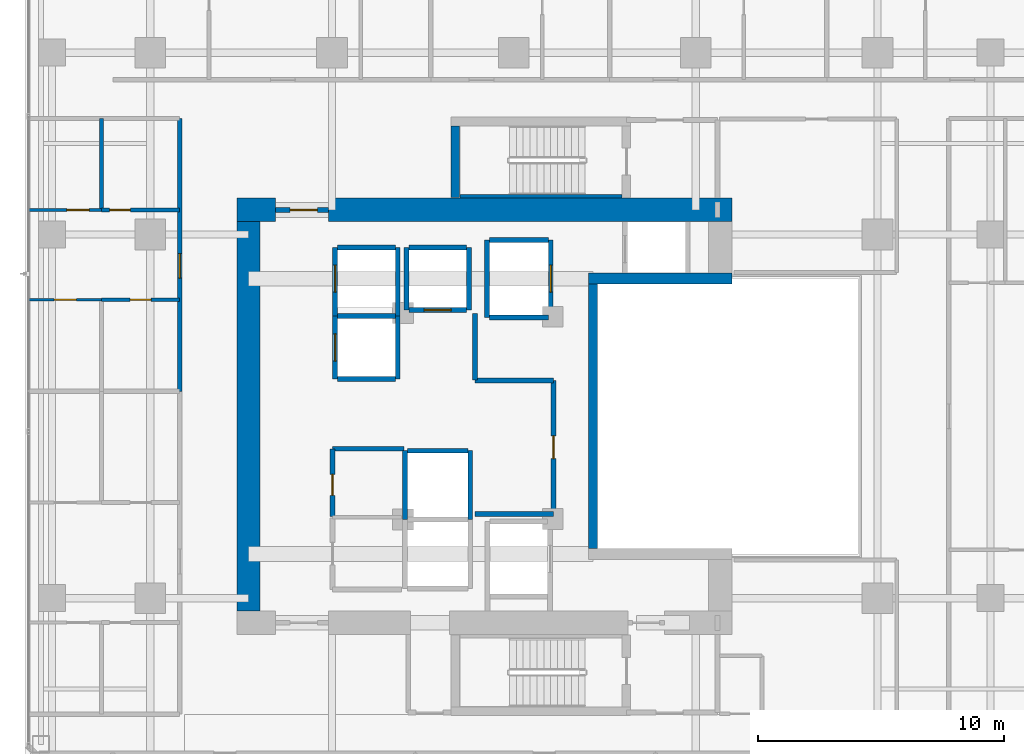
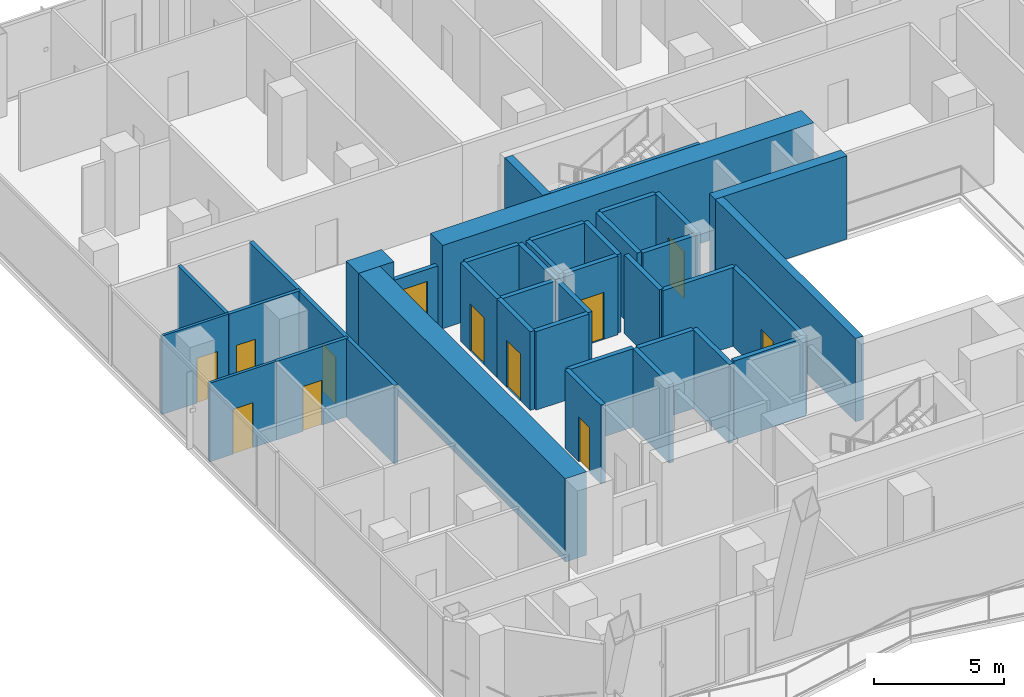
# One storey, part 20 of 30: 38 walls, 12 doors, 12 openings.
"""IFC4 building model written with IfcOpenShell, lengths in metres."""

from ifc_helpers import new_model, si_unit, direction, frame, frame_2d, origin, place, context, subcontext, project, spatial, rectangle, extrude, material, layer, layer_set, type_object, element, fill, save


model = new_model("IFC4")

# Units and contexts
model_context = context("Model", 3, precision=1e-05, world=origin(), true_north=direction((0.0, 1.0)))
body_context = subcontext(model_context, "Body", "Model", "MODEL_VIEW")
ifc_project = project(units=[si_unit("LENGTHUNIT", "METRE"), si_unit("AREAUNIT", "SQUARE_METRE"), si_unit("VOLUMEUNIT", "CUBIC_METRE"), si_unit("PLANEANGLEUNIT", "RADIAN"), si_unit("MASSUNIT", "GRAM", prefix="KILO")], contexts=[model_context])

# Site, building, storey
site_placement = place(None, origin())
site = spatial("IfcSite", under=ifc_project, at=site_placement, CompositionType="ELEMENT")
building_placement = place(site_placement, origin())
building = spatial("IfcBuilding", under=site, at=building_placement, Name="Khorvyn Point Tower", CompositionType="ELEMENT")
storey_placement = place(building_placement, frame((0.0, 0.0, 117.300048828125)))
storey = spatial("IfcBuildingStorey", under=building, at=storey_placement, Name="L29", CompositionType="ELEMENT", Elevation=117.300048828125)

# Wall, opening, door
ifc_material_1 = material(Name="Double acoustic gypsum on twin steel stud", Category="steel")
ifc_layer_1 = layer(ifc_material_1, 0.179931640625)
ifc_layer_set_1 = layer_set([ifc_layer_1], Name="Acoustic Double-Stud Apartment Demising Wall 180")
wall_type_1 = type_object("IfcWallType", Name="Acoustic Double-Stud Apartment Demising Wall 180", PredefinedType="PARTITIONING", material=ifc_layer_set_1)
wall_1_placement = place(storey_placement, frame((-13.60009765625, 1.01806640625, 0.0), z_axis=(0.0, 0.0, 1.0), x_axis=(0.0, 1.0, 0.0)))
wall_1 = element("IfcWall", 1, at=wall_1_placement, inside=storey, type_object=wall_type_1, Name="Wall", PredefinedType="PARTITIONING", context=body_context, shape_type="SweptSolid", body=[
    extrude(rectangle(XDim=11.10205078125, YDim=0.179931640625, at=frame_2d((5.551025390625, 0.0))), origin(), (0.0, 0.0, 1.0), 3.679931640625),
])
opening_1_placement = place(wall_1_placement, frame((4.6064453125, 0.0, 0.0)))
opening_1 = element("IfcOpeningElement", 2, at=opening_1_placement, cuts=wall_1, Name="Opening ID-AP60", PredefinedType="OPENING", context=body_context, shape_type="SweptSolid", body=[
    extrude(rectangle(XDim=1.0, YDim=2.199951171875, at=frame_2d((0.5, 1.10009765625))), frame((0.0, 0.099853515625, 0.0), z_axis=(0.0, -1.0, 0.0), x_axis=(1.0, 0.0, 0.0)), (0.0, 0.0, 1.0), 0.199951171875),
])
ifc_material_2 = material(Name="Engineered hardwood fire-rated leaf", Category="wood")
door_type_1 = type_object("IfcDoorType", Name="Acoustic Solid-Core Timber Apartment Entrance Door 1000x2200", OperationType="NOTDEFINED", PredefinedType="DOOR", material=ifc_material_2)
door_1_placement = place(opening_1_placement, origin())
door_1 = element("IfcDoor", 3, at=door_1_placement, inside=storey, type_object=door_type_1, Name="Door", OperationType="SINGLE_SWING_RIGHT", OverallHeight=2.199951171875, OverallWidth=1.0, PredefinedType="DOOR", context=body_context, shape_type="SweptSolid", body=[
    extrude(rectangle(XDim=1.0, YDim=2.199951171875, at=frame_2d((0.5, 1.10009765625))), frame((0.0, 0.02490234375, 0.0), z_axis=(0.0, -1.0, 0.0), x_axis=(1.0, 0.0, 0.0)), (0.0, 0.0, 1.0), 0.050048828125),
])
fill(opening_1, door_1)

# Wall
ifc_material_3 = material(Name="Concrete C40/50", Category="concrete")
ifc_layer_2 = layer(ifc_material_3, 0.449951171875)
ifc_layer_set_2 = layer_set([ifc_layer_2], Name="Concrete C40/50 Core Shear Wall 450")
wall_type_2 = type_object("IfcWallType", Name="Concrete C40/50 Core Shear Wall 450", PredefinedType="SHEAR", material=ifc_layer_set_2)
wall_2_placement = place(storey_placement, frame((3.044921875, 5.60009765625, 0.0), z_axis=(0.0, 0.0, 1.0), x_axis=(1.0, 0.0, 0.0)))
element("IfcWall", 4, at=wall_2_placement, inside=storey, type_object=wall_type_2, Name="Wall", PredefinedType="SHEAR", context=body_context, shape_type="SweptSolid", body=[
    extrude(rectangle(XDim=5.830078125, YDim=0.449951171875, at=frame_2d((2.9150390625, 0.0))), origin(), (0.0, 0.0, 1.0), 3.89990234375),
])

# Wall, opening, door
ifc_layer_3 = layer(ifc_material_3, 0.199951171875)
ifc_layer_set_3 = layer_set([ifc_layer_3], Name="Concrete C40/50 Fire-Lobby Compartment Wall 200")
wall_type_3 = type_object("IfcWallType", Name="Concrete C40/50 Fire-Lobby Compartment Wall 200", PredefinedType="SOLIDWALL", material=ifc_layer_set_3)
wall_3_placement = place(storey_placement, frame((-9.699951171875, 8.39990234375, 0.0), z_axis=(0.0, 0.0, 1.0), x_axis=(1.0, 0.0, 0.0)))
wall_3 = element("IfcWall", 5, at=wall_3_placement, inside=storey, type_object=wall_type_3, Name="Wall", PredefinedType="SOLIDWALL", context=body_context, shape_type="SweptSolid", body=[
    extrude(rectangle(XDim=2.14990234375, YDim=0.199951171875, at=frame_2d((1.074951171875, 0.0))), origin(), (0.0, 0.0, 1.0), 2.719970703125),
])
opening_2_placement = place(wall_3_placement, frame((0.597900390625, 0.0, 0.0)))
opening_2 = element("IfcOpeningElement", 6, at=opening_2_placement, cuts=wall_3, Name="Opening ID-FL90", PredefinedType="OPENING", context=body_context, shape_type="SweptSolid", body=[
    extrude(rectangle(XDim=1.10009765625, YDim=2.14990234375, at=frame_2d((0.550048828125, 1.074951171875))), frame((0.0, 0.10986328125, 0.0), z_axis=(0.0, -1.0, 0.0), x_axis=(1.0, 0.0, 0.0)), (0.0, 0.0, 1.0), 0.219970703125),
])
ifc_material_4 = material(Name="Galvanised powder-coated steel", Category="steel")
door_type_2 = type_object("IfcDoorType", Name="Fire-Rated Steel Lobby and Stair Door 1100x2150", OperationType="NOTDEFINED", PredefinedType="DOOR", material=ifc_material_4)
door_2_placement = place(opening_2_placement, origin())
door_2 = element("IfcDoor", 7, at=door_2_placement, inside=storey, type_object=door_type_2, Name="Door", OperationType="SINGLE_SWING_LEFT", OverallHeight=2.14990234375, OverallWidth=1.10009765625, PredefinedType="DOOR", context=body_context, shape_type="SweptSolid", body=[
    extrude(rectangle(XDim=1.10009765625, YDim=2.14990234375, at=frame_2d((0.550048828125, 1.074951171875))), frame((0.0, 0.02490234375, 0.0), z_axis=(0.0, -1.0, 0.0), x_axis=(1.0, 0.0, 0.0)), (0.0, 0.0, 1.0), 0.050048828125),
])
fill(opening_2, door_2)

wall_4_placement = place(storey_placement, frame((1.610107421875, -3.97998046875, 0.0), z_axis=(0.0, 0.0, 1.0), x_axis=(0.0, 1.0, 0.0)))
wall_4 = element("IfcWall", 8, at=wall_4_placement, inside=storey, type_object=wall_type_3, Name="Wall", PredefinedType="SOLIDWALL", context=body_context, shape_type="SweptSolid", body=[
    extrude(rectangle(XDim=5.43994140625, YDim=0.199951171875, at=frame_2d((2.719970703125, 0.0))), origin(), (0.0, 0.0, 1.0), 3.679931640625),
])
opening_3_placement = place(wall_4_placement, frame((2.260009765625, 0.0, 0.0)))
opening_3 = element("IfcOpeningElement", 9, at=opening_3_placement, cuts=wall_4, Name="Opening ID-RS60", PredefinedType="OPENING", context=body_context, shape_type="SweptSolid", body=[
    extrude(rectangle(XDim=0.919921875, YDim=2.10009765625, at=frame_2d((0.4599609375, 1.050048828125))), frame((0.0, 0.10986328125, 0.0), z_axis=(0.0, -1.0, 0.0), x_axis=(1.0, 0.0, 0.0)), (0.0, 0.0, 1.0), 0.219970703125),
])
door_type_3 = type_object("IfcDoorType", Name="Fire-Rated Riser and Store Steel Door 920x2100", OperationType="NOTDEFINED", PredefinedType="DOOR", material=ifc_material_4)
door_3_placement = place(opening_3_placement, origin())
door_3 = element("IfcDoor", 10, at=door_3_placement, inside=storey, type_object=door_type_3, Name="Door", OperationType="SINGLE_SWING_LEFT", OverallHeight=2.10009765625, OverallWidth=0.919921875, PredefinedType="DOOR", context=body_context, shape_type="SweptSolid", body=[
    extrude(rectangle(XDim=0.919921875, YDim=2.10009765625, at=frame_2d((0.4599609375, 1.050048828125))), frame((0.0, 0.02490234375, 0.0), z_axis=(0.0, -1.0, 0.0), x_axis=(1.0, 0.0, 0.0)), (0.0, 0.0, 1.0), 0.050048828125),
])
fill(opening_3, door_3)

wall_5_placement = place(storey_placement, frame((-7.3798828125, -4.080078125, 0.0), z_axis=(0.0, 0.0, 1.0), x_axis=(0.0, 1.0, 0.0)))
wall_5 = element("IfcWall", 11, at=wall_5_placement, inside=storey, type_object=wall_type_3, Name="Wall", PredefinedType="SOLIDWALL", context=body_context, shape_type="SweptSolid", body=[
    extrude(rectangle(XDim=2.760009765625, YDim=0.199951171875, at=frame_2d((1.3798828125, 0.0))), origin(), (0.0, 0.0, 1.0), 3.679931640625),
])
opening_4_placement = place(wall_5_placement, frame((0.86669921875, 0.0, 0.0)))
opening_4 = element("IfcOpeningElement", 12, at=opening_4_placement, cuts=wall_5, Name="Opening ID-WC85", PredefinedType="OPENING", context=body_context, shape_type="SweptSolid", body=[
    extrude(rectangle(XDim=0.85009765625, YDim=2.10009765625, at=frame_2d((0.425048828125, 1.050048828125))), frame((0.0, 0.10986328125, 0.0), z_axis=(0.0, -1.0, 0.0), x_axis=(1.0, 0.0, 0.0)), (0.0, 0.0, 1.0), 0.219970703125),
])
ifc_material_5 = material(Name="High-pressure laminate on moisture-resistant core", Category="wood")
door_type_4 = type_object("IfcDoorType", Name="Moisture-Resistant Accessible Washroom Door 850x2100", OperationType="NOTDEFINED", PredefinedType="DOOR", material=ifc_material_5)
door_4_placement = place(opening_4_placement, origin())
door_4 = element("IfcDoor", 13, at=door_4_placement, inside=storey, type_object=door_type_4, Name="Door", OperationType="SINGLE_SWING_LEFT", OverallHeight=2.10009765625, OverallWidth=0.85009765625, PredefinedType="DOOR", context=body_context, shape_type="SweptSolid", body=[
    extrude(rectangle(XDim=0.85009765625, YDim=2.10009765625, at=frame_2d((0.425048828125, 1.050048828125))), frame((0.0, 0.02490234375, 0.0), z_axis=(0.0, -1.0, 0.0), x_axis=(1.0, 0.0, 0.0)), (0.0, 0.0, 1.0), 0.050048828125),
])
fill(opening_4, door_4)

# Walls
wall_6_placement = place(storey_placement, frame((-7.3798828125, -1.320068359375, 0.0), z_axis=(0.0, 0.0, 1.0), x_axis=(1.0, 0.0, 0.0)))
element("IfcWall", 14, at=wall_6_placement, inside=storey, type_object=wall_type_3, Name="Wall", PredefinedType="SOLIDWALL", context=body_context, shape_type="SweptSolid", body=[
    extrude(rectangle(XDim=2.909912109375, YDim=0.199951171875, at=frame_2d((1.455078125, 0.0))), origin(), (0.0, 0.0, 1.0), 3.679931640625),
])
wall_7_placement = place(storey_placement, frame((-1.580078125, 1.47998046875, 0.0), z_axis=(0.0, 0.0, 1.0), x_axis=(0.0, 1.0, 0.0)))
element("IfcWall", 15, at=wall_7_placement, inside=storey, type_object=wall_type_3, Name="Wall", PredefinedType="SOLIDWALL", context=body_context, shape_type="SweptSolid", body=[
    extrude(rectangle(XDim=2.699951171875, YDim=0.199951171875, at=frame_2d((1.35009765625, 0.0))), origin(), (0.0, 0.0, 1.0), 3.679931640625),
])
for number, where, z_axis, x_axis, name in (
    (16, (-1.580078125, -3.97998046875, 0.0), (0.0, 0.0, 1.0), (1.0, 0.0, 0.0), "Wall"),
    (17, (-1.580078125, 1.4599609375, 0.0), (0.0, 0.0, 1.0), (1.0, 0.0, 0.0), "Wall"),
):
    element("IfcWall", number, at=place(storey_placement, frame(where, z_axis=z_axis, x_axis=x_axis)), inside=storey, type_object=wall_type_3, Name=name, PredefinedType="SOLIDWALL", context=body_context, shape_type="SweptSolid", body=[
        extrude(rectangle(XDim=3.190185546875, YDim=0.199951171875, at=frame_2d((1.59521484375, 0.0))), origin(), (0.0, 0.0, 1.0), 3.679931640625),
    ])
ifc_layer_4 = layer(ifc_material_3, 0.25)
ifc_layer_set_4 = layer_set([ifc_layer_4], Name="Concrete C40/50 Stair Inner Cheek Structural Wall 250")
wall_type_4 = type_object("IfcWallType", Name="Concrete C40/50 Stair Inner Cheek Structural Wall 250", PredefinedType="SHEAR", material=ifc_layer_set_4)
wall_8_placement = place(storey_placement, frame((-2.199951171875, 8.949951171875, 0.0), z_axis=(0.0, 0.0, 1.0), x_axis=(1.0, 0.0, 0.0)))
element("IfcWall", 18, at=wall_8_placement, inside=storey, type_object=wall_type_4, Name="Wall", PredefinedType="SHEAR", context=body_context, shape_type="SweptSolid", body=[
    extrude(rectangle(XDim=6.599853515625, YDim=0.14990234375, at=frame_2d((3.2998046875, 0.0))), origin(), (0.0, 0.0, 1.0), 3.89990234375),
])
ifc_layer_5 = layer(ifc_material_3, 0.35009765625)
ifc_layer_set_5 = layer_set([ifc_layer_5], Name="Concrete C40/50 Stair Shaft Structural Wall 350")
wall_type_5 = type_object("IfcWallType", Name="Concrete C40/50 Stair Shaft Structural Wall 350", PredefinedType="SHEAR", material=ifc_layer_set_5)
wall_9_placement = place(storey_placement, frame((3.219970703125, -5.375, 0.0), z_axis=(0.0, 0.0, 1.0), x_axis=(0.0, 1.0, 0.0)))
element("IfcWall", 19, at=wall_9_placement, inside=storey, type_object=wall_type_5, Name="Wall", PredefinedType="SHEAR", context=body_context, shape_type="SweptSolid", body=[
    extrude(rectangle(XDim=10.75, YDim=0.35009765625, at=frame_2d((5.375, 0.0))), origin(), (0.0, 0.0, 1.0), 3.89990234375),
])
wall_10_placement = place(storey_placement, frame((-2.3798828125, 8.89990234375, 0.0), z_axis=(0.0, 0.0, 1.0), x_axis=(0.0, 1.0, 0.0)))
element("IfcWall", 20, at=wall_10_placement, inside=storey, type_object=wall_type_5, Name="L29 ST-02 West Shaft Wall", PredefinedType="SHEAR", context=body_context, shape_type="SweptSolid", body=[
    extrude(rectangle(XDim=2.925048828125, YDim=0.35009765625, at=frame_2d((1.46240234375, 0.0))), origin(), (0.0, 0.0, 1.0), 3.89990234375),
])

# Wall, opening, door
ifc_layer_6 = layer(ifc_material_3, 0.199951171875)
ifc_layer_set_6 = layer_set([ifc_layer_6], Name="Concrete C40/50 Structural Hoistway and Stair Shaft Wall 200")
wall_type_6 = type_object("IfcWallType", Name="Concrete C40/50 Structural Hoistway and Stair Shaft Wall 200", PredefinedType="SHEAR", material=ifc_layer_set_6)
wall_11_placement = place(storey_placement, frame((-7.27490234375, 1.52490234375, 0.0), z_axis=(0.0, 0.0, 1.0), x_axis=(0.0, 1.0, 0.0)))
wall_11 = element("IfcWall", 21, at=wall_11_placement, inside=storey, type_object=wall_type_6, Name="Wall", PredefinedType="SHEAR", context=body_context, shape_type="SweptSolid", body=[
    extrude(rectangle(XDim=2.550048828125, YDim=0.199951171875, at=frame_2d((1.27490234375, 0.0))), origin(), (0.0, 0.0, 1.0), 3.679931640625),
])
opening_5_placement = place(wall_11_placement, frame((0.72509765625, 0.0, 0.0)))
opening_5 = element("IfcOpeningElement", 22, at=opening_5_placement, cuts=wall_11, Name="Opening LD-1122", PredefinedType="OPENING", context=body_context, shape_type="SweptSolid", body=[
    extrude(rectangle(XDim=1.10009765625, YDim=2.199951171875, at=frame_2d((0.550048828125, 1.10009765625))), frame((0.0, 0.10986328125, 0.0), z_axis=(0.0, -1.0, 0.0), x_axis=(1.0, 0.0, 0.0)), (0.0, 0.0, 1.0), 0.219970703125),
])
ifc_material_6 = material(Name="Stainless steel 1.4301", Category="steel")
door_type_5 = type_object("IfcDoorType", Name="Stainless Steel Automatic Sliding Lift Landing Door 1100x2200", OperationType="SLIDING_TO_LEFT", PredefinedType="DOOR", material=ifc_material_6)
door_5_placement = place(opening_5_placement, origin())
door_5 = element("IfcDoor", 23, at=door_5_placement, inside=storey, type_object=door_type_5, Name="L29 RM-01 Sliding Lift Landing Door", OperationType="SLIDING_TO_LEFT", OverallHeight=2.199951171875, OverallWidth=1.10009765625, PredefinedType="DOOR", context=body_context, shape_type="SweptSolid", body=[
    extrude(rectangle(XDim=1.10009765625, YDim=2.199951171875, at=frame_2d((0.550048828125, 1.10009765625))), frame((0.0, 0.02490234375, 0.0), z_axis=(0.0, -1.0, 0.0), x_axis=(1.0, 0.0, 0.0)), (0.0, 0.0, 1.0), 0.050048828125),
])
fill(opening_5, door_5)

# Walls
wall_12_placement = place(storey_placement, frame((-4.72509765625, 1.52490234375, 0.0), z_axis=(0.0, 0.0, 1.0), x_axis=(0.0, 1.0, 0.0)))
element("IfcWall", 24, at=wall_12_placement, inside=storey, type_object=wall_type_6, Name="Wall", PredefinedType="SHEAR", context=body_context, shape_type="SweptSolid", body=[
    extrude(rectangle(XDim=2.550048828125, YDim=0.199951171875, at=frame_2d((1.27490234375, 0.0))), origin(), (0.0, 0.0, 1.0), 3.679931640625),
])
for number, where, z_axis, x_axis, name in (
    (25, (-7.175048828125, 1.52490234375, 0.0), (0.0, 0.0, 1.0), (1.0, 0.0, 0.0), "Wall"),
    (26, (-7.175048828125, 4.074951171875, 0.0), (0.0, 0.0, 1.0), (1.0, 0.0, 0.0), "Wall"),
):
    element("IfcWall", number, at=place(storey_placement, frame(where, z_axis=z_axis, x_axis=x_axis)), inside=storey, type_object=wall_type_6, Name=name, PredefinedType="SHEAR", context=body_context, shape_type="SweptSolid", body=[
        extrude(rectangle(XDim=2.35009765625, YDim=0.199951171875, at=frame_2d((1.175048828125, 0.0))), origin(), (0.0, 0.0, 1.0), 3.679931640625),
    ])

# Wall, opening, door
wall_13_placement = place(storey_placement, frame((-7.27490234375, 4.074951171875, 0.0), z_axis=(0.0, 0.0, 1.0), x_axis=(0.0, 1.0, 0.0)))
wall_13 = element("IfcWall", 27, at=wall_13_placement, inside=storey, type_object=wall_type_6, Name="Wall", PredefinedType="SHEAR", context=body_context, shape_type="SweptSolid", body=[
    extrude(rectangle(XDim=2.800048828125, YDim=0.199951171875, at=frame_2d((1.39990234375, 0.0))), origin(), (0.0, 0.0, 1.0), 3.679931640625),
])
opening_6_placement = place(wall_13_placement, frame((0.97509765625, 0.0, 0.0)))
opening_6 = element("IfcOpeningElement", 28, at=opening_6_placement, cuts=wall_13, Name="Opening LD-1122", PredefinedType="OPENING", context=body_context, shape_type="SweptSolid", body=[
    extrude(rectangle(XDim=1.10009765625, YDim=2.199951171875, at=frame_2d((0.550048828125, 1.10009765625))), frame((0.0, 0.10986328125, 0.0), z_axis=(0.0, -1.0, 0.0), x_axis=(1.0, 0.0, 0.0)), (0.0, 0.0, 1.0), 0.219970703125),
])
door_6_placement = place(opening_6_placement, origin())
door_6 = element("IfcDoor", 29, at=door_6_placement, inside=storey, type_object=door_type_5, Name="L29 RM-02 Sliding Lift Landing Door", OperationType="SLIDING_TO_LEFT", OverallHeight=2.199951171875, OverallWidth=1.10009765625, PredefinedType="DOOR", context=body_context, shape_type="SweptSolid", body=[
    extrude(rectangle(XDim=1.10009765625, YDim=2.199951171875, at=frame_2d((0.550048828125, 1.10009765625))), frame((0.0, 0.02490234375, 0.0), z_axis=(0.0, -1.0, 0.0), x_axis=(1.0, 0.0, 0.0)), (0.0, 0.0, 1.0), 0.050048828125),
])
fill(opening_6, door_6)

# Walls
wall_14_placement = place(storey_placement, frame((-4.72509765625, 4.074951171875, 0.0), z_axis=(0.0, 0.0, 1.0), x_axis=(0.0, 1.0, 0.0)))
element("IfcWall", 30, at=wall_14_placement, inside=storey, type_object=wall_type_6, Name="Wall", PredefinedType="SHEAR", context=body_context, shape_type="SweptSolid", body=[
    extrude(rectangle(XDim=2.800048828125, YDim=0.199951171875, at=frame_2d((1.39990234375, 0.0))), origin(), (0.0, 0.0, 1.0), 3.679931640625),
])
wall_15_placement = place(storey_placement, frame((-7.175048828125, 6.875, 0.0), z_axis=(0.0, 0.0, 1.0), x_axis=(1.0, 0.0, 0.0)))
element("IfcWall", 31, at=wall_15_placement, inside=storey, type_object=wall_type_6, Name="Wall", PredefinedType="SHEAR", context=body_context, shape_type="SweptSolid", body=[
    extrude(rectangle(XDim=2.35009765625, YDim=0.199951171875, at=frame_2d((1.175048828125, 0.0))), origin(), (0.0, 0.0, 1.0), 3.679931640625),
])
for number, where, z_axis, x_axis, name in (
    (32, (-4.375, 4.324951171875, 0.0), (0.0, 0.0, 1.0), (0.0, 1.0, 0.0), "Wall"),
    (33, (-1.824951171875, 4.324951171875, 0.0), (0.0, 0.0, 1.0), (0.0, 1.0, 0.0), "Wall"),
):
    element("IfcWall", number, at=place(storey_placement, frame(where, z_axis=z_axis, x_axis=x_axis)), inside=storey, type_object=wall_type_6, Name=name, PredefinedType="SHEAR", context=body_context, shape_type="SweptSolid", body=[
        extrude(rectangle(XDim=2.550048828125, YDim=0.199951171875, at=frame_2d((1.27490234375, 0.0))), origin(), (0.0, 0.0, 1.0), 3.679931640625),
    ])

# Wall, opening, door
wall_16_placement = place(storey_placement, frame((-4.27490234375, 4.324951171875, 0.0), z_axis=(0.0, 0.0, 1.0), x_axis=(1.0, 0.0, 0.0)))
wall_16 = element("IfcWall", 34, at=wall_16_placement, inside=storey, type_object=wall_type_6, Name="Wall", PredefinedType="SHEAR", context=body_context, shape_type="SweptSolid", body=[
    extrude(rectangle(XDim=2.349853515625, YDim=0.199951171875, at=frame_2d((1.1748046875, 0.0))), origin(), (0.0, 0.0, 1.0), 3.679931640625),
])
opening_7_placement = place(wall_16_placement, frame((0.625, 0.0, 0.0)))
opening_7 = element("IfcOpeningElement", 35, at=opening_7_placement, cuts=wall_16, Name="Opening LD-1122", PredefinedType="OPENING", context=body_context, shape_type="SweptSolid", body=[
    extrude(rectangle(XDim=1.10009765625, YDim=2.199951171875, at=frame_2d((0.550048828125, 1.10009765625))), frame((0.0, 0.10986328125, 0.0), z_axis=(0.0, -1.0, 0.0), x_axis=(1.0, 0.0, 0.0)), (0.0, 0.0, 1.0), 0.219970703125),
])
door_7_placement = place(opening_7_placement, origin())
door_7 = element("IfcDoor", 36, at=door_7_placement, inside=storey, type_object=door_type_5, Name="L29 RM-03 Sliding Lift Landing Door", OperationType="SLIDING_TO_LEFT", OverallHeight=2.199951171875, OverallWidth=1.10009765625, PredefinedType="DOOR", context=body_context, shape_type="SweptSolid", body=[
    extrude(rectangle(XDim=1.10009765625, YDim=2.199951171875, at=frame_2d((0.550048828125, 1.10009765625))), frame((0.0, 0.02490234375, 0.0), z_axis=(0.0, -1.0, 0.0), x_axis=(1.0, 0.0, 0.0)), (0.0, 0.0, 1.0), 0.050048828125),
])
fill(opening_7, door_7)

# Walls
wall_17_placement = place(storey_placement, frame((-4.27490234375, 6.875, 0.0), z_axis=(0.0, 0.0, 1.0), x_axis=(1.0, 0.0, 0.0)))
element("IfcWall", 37, at=wall_17_placement, inside=storey, type_object=wall_type_6, Name="Wall", PredefinedType="SHEAR", context=body_context, shape_type="SweptSolid", body=[
    extrude(rectangle(XDim=2.349853515625, YDim=0.199951171875, at=frame_2d((1.1748046875, 0.0))), origin(), (0.0, 0.0, 1.0), 3.679931640625),
])
for number, where, z_axis, x_axis, name in (
    (38, (-4.425048828125, -4.199951171875, 0.0), (0.0, 0.0, 1.0), (0.0, 1.0, 0.0), "Wall"),
    (39, (-1.77490234375, -4.199951171875, 0.0), (0.0, 0.0, 1.0), (0.0, 1.0, 0.0), "Wall"),
):
    element("IfcWall", number, at=place(storey_placement, frame(where, z_axis=z_axis, x_axis=x_axis)), inside=storey, type_object=wall_type_6, Name=name, PredefinedType="SHEAR", context=body_context, shape_type="SweptSolid", body=[
        extrude(rectangle(XDim=2.800048828125, YDim=0.199951171875, at=frame_2d((1.39990234375, 0.0))), origin(), (0.0, 0.0, 1.0), 3.679931640625),
    ])
wall_18_placement = place(storey_placement, frame((-4.324951171875, -1.39990234375, 0.0), z_axis=(0.0, 0.0, 1.0), x_axis=(1.0, 0.0, 0.0)))
element("IfcWall", 40, at=wall_18_placement, inside=storey, type_object=wall_type_6, Name="Wall", PredefinedType="SHEAR", context=body_context, shape_type="SweptSolid", body=[
    extrude(rectangle(XDim=2.449951171875, YDim=0.199951171875, at=frame_2d((1.22509765625, 0.0))), origin(), (0.0, 0.0, 1.0), 3.679931640625),
])
wall_19_placement = place(storey_placement, frame((-1.10009765625, 4.02490234375, 0.0), z_axis=(0.0, 0.0, 1.0), x_axis=(0.0, 1.0, 0.0)))
element("IfcWall", 41, at=wall_19_placement, inside=storey, type_object=wall_type_6, Name="Wall", PredefinedType="SHEAR", context=body_context, shape_type="SweptSolid", body=[
    extrude(rectangle(XDim=3.150146484375, YDim=0.199951171875, at=frame_2d((1.5751953125, 0.0))), origin(), (0.0, 0.0, 1.0), 3.679931640625),
])

# Wall, opening, door
wall_20_placement = place(storey_placement, frame((1.5, 4.02490234375, 0.0), z_axis=(0.0, 0.0, 1.0), x_axis=(0.0, 1.0, 0.0)))
wall_20 = element("IfcWall", 42, at=wall_20_placement, inside=storey, type_object=wall_type_6, Name="Wall", PredefinedType="SHEAR", context=body_context, shape_type="SweptSolid", body=[
    extrude(rectangle(XDim=3.150146484375, YDim=0.199951171875, at=frame_2d((1.5751953125, 0.0))), origin(), (0.0, 0.0, 1.0), 3.679931640625),
])
opening_8_placement = place(wall_20_placement, frame((1.02490234375, 0.0, 0.0)))
opening_8 = element("IfcOpeningElement", 43, at=opening_8_placement, cuts=wall_20, Name="Opening LD-1122", PredefinedType="OPENING", context=body_context, shape_type="SweptSolid", body=[
    extrude(rectangle(XDim=1.10009765625, YDim=2.199951171875, at=frame_2d((0.550048828125, 1.10009765625))), frame((0.0, 0.10986328125, 0.0), z_axis=(0.0, -1.0, 0.0), x_axis=(1.0, 0.0, 0.0)), (0.0, 0.0, 1.0), 0.219970703125),
])
door_8_placement = place(opening_8_placement, origin())
door_8 = element("IfcDoor", 44, at=door_8_placement, inside=storey, type_object=door_type_5, Name="L29 SV-01 Sliding Lift Landing Door", OperationType="SLIDING_TO_LEFT", OverallHeight=2.199951171875, OverallWidth=1.10009765625, PredefinedType="DOOR", context=body_context, shape_type="SweptSolid", body=[
    extrude(rectangle(XDim=1.10009765625, YDim=2.199951171875, at=frame_2d((0.550048828125, 1.10009765625))), frame((0.0, 0.02490234375, 0.0), z_axis=(0.0, -1.0, 0.0), x_axis=(1.0, 0.0, 0.0)), (0.0, 0.0, 1.0), 0.050048828125),
])
fill(opening_8, door_8)

# Walls
for number, where, z_axis, x_axis, name in (
    (45, (-1.0, 4.02490234375, 0.0), (0.0, 0.0, 1.0), (1.0, 0.0, 0.0), "Wall"),
    (46, (-1.0, 7.175048828125, 0.0), (0.0, 0.0, 1.0), (1.0, 0.0, 0.0), "Wall"),
):
    element("IfcWall", number, at=place(storey_placement, frame(where, z_axis=z_axis, x_axis=x_axis)), inside=storey, type_object=wall_type_6, Name=name, PredefinedType="SHEAR", context=body_context, shape_type="SweptSolid", body=[
        extrude(rectangle(XDim=2.39990234375, YDim=0.199951171875, at=frame_2d((1.199951171875, 0.0))), origin(), (0.0, 0.0, 1.0), 3.679931640625),
    ])
ifc_material_7 = material(Name="Concrete C50/60", Category="concrete")
ifc_layer_7 = layer(ifc_material_7, 0.949951171875)
ifc_layer_set_7 = layer_set([ifc_layer_7], Name="Concrete C50/60 Core Shear Wall 950")
wall_type_7 = type_object("IfcWallType", Name="Concrete C50/60 Core Shear Wall 950", PredefinedType="SHEAR", material=ifc_layer_set_7)
wall_21_placement = place(storey_placement, frame((-11.27490234375, 8.39990234375, 0.0), z_axis=(0.0, 0.0, 1.0), x_axis=(1.0, 0.0, 0.0)))
element("IfcWall", 47, at=wall_21_placement, inside=storey, type_object=wall_type_7, Name="Wall", PredefinedType="SHEAR", context=body_context, shape_type="SweptSolid", body=[
    extrude(rectangle(XDim=1.574951171875, YDim=0.949951171875, at=frame_2d((0.78759765625, 0.0))), origin(), (0.0, 0.0, 1.0), 3.89990234375),
])
wall_22_placement = place(storey_placement, frame((-7.550048828125, 8.39990234375, 0.0), z_axis=(0.0, 0.0, 1.0), x_axis=(1.0, 0.0, 0.0)))
element("IfcWall", 48, at=wall_22_placement, inside=storey, type_object=wall_type_7, Name="Wall", PredefinedType="SHEAR", context=body_context, shape_type="SweptSolid", body=[
    extrude(rectangle(XDim=16.425048828125, YDim=0.949951171875, at=frame_2d((8.21240234375, 0.0))), origin(), (0.0, 0.0, 1.0), 3.89990234375),
])
wall_23_placement = place(storey_placement, frame((-10.800048828125, -7.925048828125, 0.0), z_axis=(0.0, 0.0, 1.0), x_axis=(0.0, 1.0, 0.0)))
element("IfcWall", 49, at=wall_23_placement, inside=storey, type_object=wall_type_7, Name="Wall", PredefinedType="SHEAR", context=body_context, shape_type="SweptSolid", body=[
    extrude(rectangle(XDim=15.85009765625, YDim=0.949951171875, at=frame_2d((7.925048828125, 0.0))), origin(), (0.0, 0.0, 1.0), 3.89990234375),
])

# Wall, opening, door
ifc_material_8 = material(Name="Gypsum plasterboard on steel stud", Category="steel")
ifc_layer_8 = layer(ifc_material_8, 0.1201171875)
ifc_layer_set_8 = layer_set([ifc_layer_8], Name="Gypsum Acoustic Stud Room Partition Wall 120")
wall_type_8 = type_object("IfcWallType", Name="Gypsum Acoustic Stud Room Partition Wall 120", PredefinedType="PARTITIONING", material=ifc_layer_set_8)
wall_24_placement = place(storey_placement, frame((-19.72998046875, 4.743896484375, 0.0), z_axis=(0.0, 0.0, 1.0), x_axis=(1.0, 0.0, 0.0)))
wall_24 = element("IfcWall", 50, at=wall_24_placement, inside=storey, type_object=wall_type_8, Name="Wall", PredefinedType="PARTITIONING", context=body_context, shape_type="SweptSolid", body=[
    extrude(rectangle(XDim=2.946044921875, YDim=0.1201171875, at=frame_2d((1.47314453125, 0.0))), origin(), (0.0, 0.0, 1.0), 3.679931640625),
])
opening_9_placement = place(wall_24_placement, frame((1.02294921875, 0.0, 0.0)))
opening_9 = element("IfcOpeningElement", 51, at=opening_9_placement, cuts=wall_24, Name="Opening ID-RM90", PredefinedType="OPENING", context=body_context, shape_type="SweptSolid", body=[
    extrude(rectangle(XDim=0.89990234375, YDim=2.10009765625, at=frame_2d((0.449951171875, 1.050048828125))), frame((0.0, 0.070068359375, 0.0), z_axis=(0.0, -1.0, 0.0), x_axis=(1.0, 0.0, 0.0)), (0.0, 0.0, 1.0), 0.14013671875),
])
ifc_material_9 = material(Name="Engineered oak veneer timber", Category="wood")
door_type_6 = type_object("IfcDoorType", Name="Flush Engineered Timber Room Door 900x2100", OperationType="NOTDEFINED", PredefinedType="DOOR", material=ifc_material_9)
door_9_placement = place(opening_9_placement, origin())
door_9 = element("IfcDoor", 52, at=door_9_placement, inside=storey, type_object=door_type_6, Name="Door", OperationType="SINGLE_SWING_LEFT", OverallHeight=2.10009765625, OverallWidth=0.89990234375, PredefinedType="DOOR", context=body_context, shape_type="SweptSolid", body=[
    extrude(rectangle(XDim=0.89990234375, YDim=2.10009765625, at=frame_2d((0.449951171875, 1.050048828125))), frame((0.0, 0.02490234375, 0.0), z_axis=(0.0, -1.0, 0.0), x_axis=(1.0, 0.0, 0.0)), (0.0, 0.0, 1.0), 0.050048828125),
])
fill(opening_9, door_9)

wall_25_placement = place(storey_placement, frame((-19.72998046875, 8.39404296875, 0.0), z_axis=(0.0, 0.0, 1.0), x_axis=(1.0, 0.0, 0.0)))
wall_25 = element("IfcWall", 53, at=wall_25_placement, inside=storey, type_object=wall_type_8, Name="Wall", PredefinedType="PARTITIONING", context=body_context, shape_type="SweptSolid", body=[
    extrude(rectangle(XDim=2.946044921875, YDim=0.1201171875, at=frame_2d((1.47314453125, 0.0))), origin(), (0.0, 0.0, 1.0), 3.679931640625),
])
opening_10_placement = place(wall_25_placement, frame((1.540771484375, 0.0, 0.0)))
opening_10 = element("IfcOpeningElement", 54, at=opening_10_placement, cuts=wall_25, Name="Opening ID-RM90", PredefinedType="OPENING", context=body_context, shape_type="SweptSolid", body=[
    extrude(rectangle(XDim=0.89990234375, YDim=2.10009765625, at=frame_2d((0.449951171875, 1.050048828125))), frame((0.0, 0.070068359375, 0.0), z_axis=(0.0, -1.0, 0.0), x_axis=(1.0, 0.0, 0.0)), (0.0, 0.0, 1.0), 0.14013671875),
])
door_10_placement = place(opening_10_placement, origin())
door_10 = element("IfcDoor", 55, at=door_10_placement, inside=storey, type_object=door_type_6, Name="Door", OperationType="SINGLE_SWING_RIGHT", OverallHeight=2.10009765625, OverallWidth=0.89990234375, PredefinedType="DOOR", context=body_context, shape_type="SweptSolid", body=[
    extrude(rectangle(XDim=0.89990234375, YDim=2.10009765625, at=frame_2d((0.449951171875, 1.050048828125))), frame((0.0, 0.02490234375, 0.0), z_axis=(0.0, -1.0, 0.0), x_axis=(1.0, 0.0, 0.0)), (0.0, 0.0, 1.0), 0.050048828125),
])
fill(opening_10, door_10)

ifc_material_10 = material(Name="Moisture-resistant gypsum and cement board", Category="gypsum")
ifc_layer_9 = layer(ifc_material_10, 0.14990234375)
ifc_layer_set_9 = layer_set([ifc_layer_9], Name="Moisture-Resistant Wet-Room Partition Wall 150")
wall_type_9 = type_object("IfcWallType", Name="Moisture-Resistant Wet-Room Partition Wall 150", PredefinedType="PARTITIONING", material=ifc_layer_set_9)
wall_26_placement = place(storey_placement, frame((-16.783935546875, 8.39404296875, 0.0), z_axis=(0.0, 0.0, 1.0), x_axis=(1.0, 0.0, 0.0)))
wall_26 = element("IfcWall", 56, at=wall_26_placement, inside=storey, type_object=wall_type_9, Name="Wall", PredefinedType="PARTITIONING", context=body_context, shape_type="SweptSolid", body=[
    extrude(rectangle(XDim=3.183837890625, YDim=0.14990234375, at=frame_2d((1.591796875, 0.0))), origin(), (0.0, 0.0, 1.0), 3.679931640625),
])
opening_11_placement = place(wall_26_placement, frame((0.327880859375, 0.0, 0.0)))
opening_11 = element("IfcOpeningElement", 57, at=opening_11_placement, cuts=wall_26, Name="Opening ID-WC85", PredefinedType="OPENING", context=body_context, shape_type="SweptSolid", body=[
    extrude(rectangle(XDim=0.85009765625, YDim=2.10009765625, at=frame_2d((0.425048828125, 1.050048828125))), frame((0.0, 0.0849609375, 0.0), z_axis=(0.0, -1.0, 0.0), x_axis=(1.0, 0.0, 0.0)), (0.0, 0.0, 1.0), 0.169921875),
])
door_11_placement = place(opening_11_placement, origin())
door_11 = element("IfcDoor", 58, at=door_11_placement, inside=storey, type_object=door_type_4, Name="Door", OperationType="SINGLE_SWING_LEFT", OverallHeight=2.10009765625, OverallWidth=0.85009765625, PredefinedType="DOOR", context=body_context, shape_type="SweptSolid", body=[
    extrude(rectangle(XDim=0.85009765625, YDim=2.10009765625, at=frame_2d((0.425048828125, 1.050048828125))), frame((0.0, 0.02490234375, 0.0), z_axis=(0.0, -1.0, 0.0), x_axis=(1.0, 0.0, 0.0)), (0.0, 0.0, 1.0), 0.050048828125),
])
fill(opening_11, door_11)

wall_27_placement = place(storey_placement, frame((-16.783935546875, 4.743896484375, 0.0), z_axis=(0.0, 0.0, 1.0), x_axis=(1.0, 0.0, 0.0)))
wall_27 = element("IfcWall", 59, at=wall_27_placement, inside=storey, type_object=wall_type_9, Name="Wall", PredefinedType="PARTITIONING", context=body_context, shape_type="SweptSolid", body=[
    extrude(rectangle(XDim=3.183837890625, YDim=0.14990234375, at=frame_2d((1.591796875, 0.0))), origin(), (0.0, 0.0, 1.0), 3.679931640625),
])
opening_12_placement = place(wall_27_placement, frame((1.1669921875, 0.0, 0.0)))
opening_12 = element("IfcOpeningElement", 60, at=opening_12_placement, cuts=wall_27, Name="Opening ID-WC85", PredefinedType="OPENING", context=body_context, shape_type="SweptSolid", body=[
    extrude(rectangle(XDim=0.85009765625, YDim=2.10009765625, at=frame_2d((0.425048828125, 1.050048828125))), frame((0.0, 0.0849609375, 0.0), z_axis=(0.0, -1.0, 0.0), x_axis=(1.0, 0.0, 0.0)), (0.0, 0.0, 1.0), 0.169921875),
])
door_12_placement = place(opening_12_placement, origin())
door_12 = element("IfcDoor", 61, at=door_12_placement, inside=storey, type_object=door_type_4, Name="Door", OperationType="SINGLE_SWING_RIGHT", OverallHeight=2.10009765625, OverallWidth=0.85009765625, PredefinedType="DOOR", context=body_context, shape_type="SweptSolid", body=[
    extrude(rectangle(XDim=0.85009765625, YDim=2.10009765625, at=frame_2d((0.425048828125, 1.050048828125))), frame((0.0, 0.02490234375, 0.0), z_axis=(0.0, -1.0, 0.0), x_axis=(1.0, 0.0, 0.0)), (0.0, 0.0, 1.0), 0.050048828125),
])
fill(opening_12, door_12)

# Wall
wall_28_placement = place(storey_placement, frame((-16.783935546875, 8.39404296875, 0.0), z_axis=(0.0, 0.0, 1.0), x_axis=(0.0, 1.0, 0.0)))
element("IfcWall", 62, at=wall_28_placement, inside=storey, type_object=wall_type_9, Name="Wall", PredefinedType="PARTITIONING", context=body_context, shape_type="SweptSolid", body=[
    extrude(rectangle(XDim=3.72607421875, YDim=0.14990234375, at=frame_2d((1.863037109375, 0.0))), origin(), (0.0, 0.0, 1.0), 3.679931640625),
])

save(model, "model.ifc")
